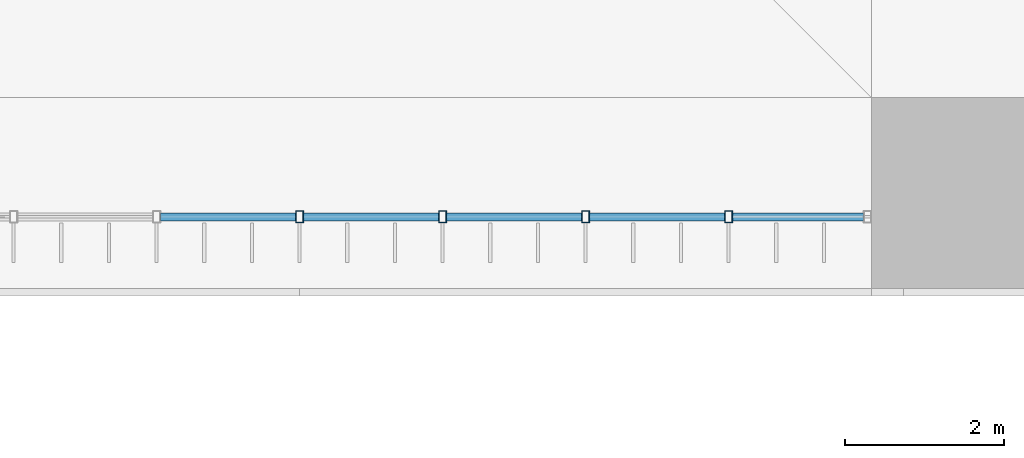
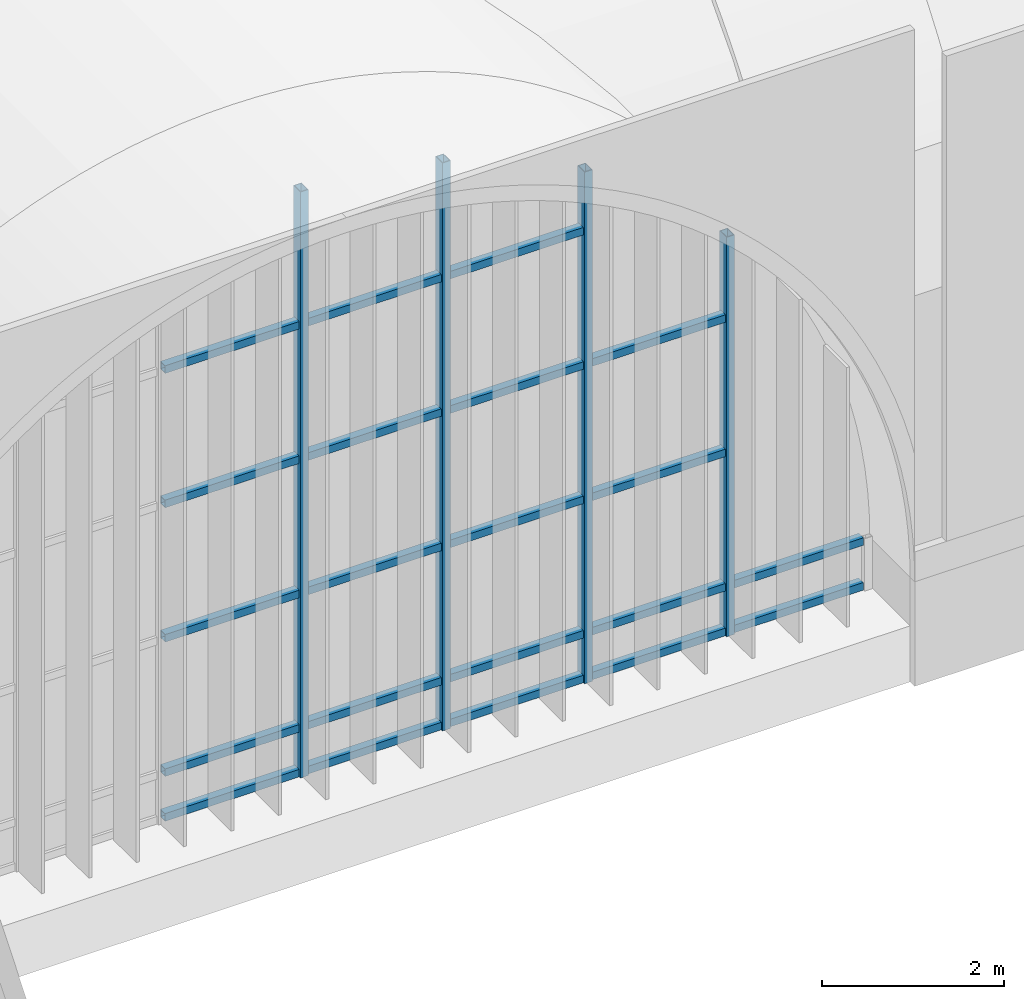
# One storey, part 23 of 169: 25 members, 1 element without a shape of its own.
"""IFC4 building model written with IfcOpenShell, lengths in metres."""

import ifcopenshell
import ifcopenshell.guid

model = None  # the IFC model being written
_history = None  # IfcOwnerHistory: only IFC2X3 demands one
_inside = {}  # id of a spatial element -> (the spatial element, [elements in it])
_under = {}  # id of a project, library or spatial element -> (it, [spatial elements below it])
_declared = {}  # id of a project -> (the project, [libraries it declares])
_typed = {}  # id of a type object -> (the type object, [elements of that type])
_made_of = {}  # id of a material, layer set ... -> (it, [elements and type objects made of it])


def new_model(schema):
    """Start an empty IFC model of exactly this schema.

    Asked for "IFC4X3", IfcOpenShell would pick the latest addendum, in which some entities
    have other attributes; the version numbers below select the first issue.
    IFC2X3 requires an IfcOwnerHistory on every rooted entity: one is made here for all.
    """
    global model, _history
    if schema == "IFC4X3":
        model = ifcopenshell.file(schema_version=(4, 3, 0, 0))
    else:
        model = ifcopenshell.file(schema=schema)
    _inside.clear()
    _under.clear()
    _declared.clear()
    _typed.clear()
    _made_of.clear()
    _history = None
    if model.schema == "IFC2X3":
        org = make("IfcOrganization", Name="unknown")
        user = make(
            "IfcPersonAndOrganization",
            ThePerson=make("IfcPerson", FamilyName="unknown"),
            TheOrganization=org,
        )
        app = make(
            "IfcApplication",
            ApplicationDeveloper=org,
            Version="unknown",
            ApplicationFullName="unknown",
            ApplicationIdentifier="unknown",
        )
        _history = make(
            "IfcOwnerHistory",
            OwningUser=user,
            OwningApplication=app,
            ChangeAction="ADDED",
            CreationDate=0,
        )
    return model


def make(cls, **values):
    """One entity of the class cls with the attributes given. An attribute that is None is left unset."""
    return model.create_entity(
        cls, **{name: value for name, value in values.items() if value is not None}
    )


def rooted(cls, **values):
    """An entity with a GlobalId (a new one), such as an element, a storey or a relation."""
    return make(cls, GlobalId=ifcopenshell.guid.new(), OwnerHistory=_history, **values)


def si_unit(unit_type, name, prefix=None):
    """IfcSIUnit, for example si_unit("LENGTHUNIT", "METRE", prefix="MILLI")."""
    return make("IfcSIUnit", UnitType=unit_type, Prefix=prefix, Name=name)


def assignment(units):
    """IfcUnitAssignment: the units of a project."""
    return None if units is None else make("IfcUnitAssignment", Units=units)


def point(xyz):
    """IfcCartesianPoint."""
    return None if xyz is None else make("IfcCartesianPoint", Coordinates=xyz)


def direction(xyz):
    """IfcDirection."""
    return None if xyz is None else make("IfcDirection", DirectionRatios=xyz)


def frame(location, z_axis=None, x_axis=None):
    """IfcAxis2Placement3D, a coordinate frame: its origin and axes. An axis left out is left unset."""
    return make(
        "IfcAxis2Placement3D",
        Location=point(location),
        Axis=direction(z_axis),
        RefDirection=direction(x_axis),
    )


def frame_2d(location, x_axis=None):
    """IfcAxis2Placement2D, a coordinate frame in the plane: its origin and x axis."""
    return make(
        "IfcAxis2Placement2D", Location=point(location), RefDirection=direction(x_axis)
    )


def origin():
    """The frame at (0, 0, 0) with its axes left unset."""
    return frame((0.0, 0.0, 0.0))


def origin_2d():
    """The frame at (0, 0) in the plane with its x axis left unset."""
    return frame_2d((0.0, 0.0))


def place(relative_to, where):
    """IfcLocalPlacement: puts the frame where relative to a parent placement (None: the world)."""
    return make(
        "IfcLocalPlacement", PlacementRelTo=relative_to, RelativePlacement=where
    )


def context(
    kind, dimensions, precision=None, world=None, true_north=None, identifier=None
):
    """IfcGeometricRepresentationContext, for example the 3D "Model" context."""
    return make(
        "IfcGeometricRepresentationContext",
        ContextIdentifier=identifier,
        ContextType=kind,
        CoordinateSpaceDimension=dimensions,
        Precision=precision,
        WorldCoordinateSystem=world,
        TrueNorth=true_north,
    )


def subcontext(parent, identifier, kind, view, scale=None):
    """IfcGeometricRepresentationSubContext, for example "Body" below "Model"."""
    return make(
        "IfcGeometricRepresentationSubContext",
        ContextIdentifier=identifier,
        ContextType=kind,
        ParentContext=parent,
        TargetScale=scale,
        TargetView=view,
    )


def project(units=None, contexts=None):
    """IfcProject with its units and contexts."""
    return rooted(
        "IfcProject",
        Name="project",
        RepresentationContexts=contexts,
        UnitsInContext=assignment(units),
    )


def spatial(cls, under=None, at=None, **own):
    """A site, building, storey or space (cls), placed at a placement, below another one or the project."""
    s = rooted(cls, ObjectPlacement=at, **own)
    if under is not None:
        _under.setdefault(under.id(), (under, []))[1].append(s)
    return s


def profile(cls, at=None, kind="AREA", **sizes):
    """A parametric profile (cls). Its sizes go by their IFC names, for example OverallWidth=200.0."""
    return make(cls, ProfileType=kind, Position=at, **sizes)


def hollow_rectangle(**sizes):
    """IfcRectangleHollowProfileDef."""
    return profile("IfcRectangleHollowProfileDef", **sizes)


def extrude(swept, where, along, depth):
    """IfcExtrudedAreaSolid: the profile swept, set in the frame where, extruded along a direction by depth."""
    return make(
        "IfcExtrudedAreaSolid",
        SweptArea=swept,
        Position=where,
        ExtrudedDirection=direction(along),
        Depth=depth,
    )


def shape(context_of_items, identifier, shape_type, items):
    """IfcShapeRepresentation: the items that make up one representation, for example the "Body"."""
    return make(
        "IfcShapeRepresentation",
        ContextOfItems=context_of_items,
        RepresentationIdentifier=identifier,
        RepresentationType=shape_type,
        Items=items,
    )


def material(Name=None, Category=None):
    """IfcMaterial."""
    return make("IfcMaterial", Name=Name, Category=Category)


def layer(
    of_material, thickness, ventilated=None, Name=None, Category=None, Priority=None
):
    """IfcMaterialLayer: one layer of a wall or slab, of a material (None: an air gap)."""
    return make(
        "IfcMaterialLayer",
        Material=of_material,
        LayerThickness=thickness,
        IsVentilated=ventilated,
        Name=Name,
        Category=Category,
        Priority=Priority,
    )


def layer_set(layers, Name=None):
    """IfcMaterialLayerSet."""
    return make("IfcMaterialLayerSet", MaterialLayers=layers, LayerSetName=Name)


def material_profile(
    of_material, cross_section, Name=None, Category=None, Priority=None
):
    """IfcMaterialProfile: a cross section and its material."""
    return make(
        "IfcMaterialProfile",
        Name=Name,
        Material=of_material,
        Profile=cross_section,
        Priority=Priority,
        Category=Category,
    )


def profile_set(profiles, Name=None, composite=None):
    """IfcMaterialProfileSet."""
    return make(
        "IfcMaterialProfileSet",
        Name=Name,
        MaterialProfiles=profiles,
        CompositeProfile=composite,
    )


def made_of(thing, what):
    """Note that an element or type object is made of a material, layer set ...; save() writes the relation."""
    if what is not None:
        _made_of.setdefault(what.id(), (what, []))[1].append(thing)
    return thing


def type_object(cls, material=None, **own):
    """A type object (cls), such as IfcWallType, which elements share."""
    return made_of(rooted(cls, **own), material)


def element(
    cls,
    number,
    at=None,
    inside=None,
    cuts=None,
    type_object=None,
    material=None,
    context=None,
    identifier="Body",
    shape_type=None,
    held_by="IfcProductDefinitionShape",
    body=None,
    shapes=None,
    **own,
):
    """One element of the class cls, such as IfcWall. Its Tag is "e" and its number.

    at: its placement. inside: the storey or other place that contains it. cuts: it is an
    opening in that element (IfcRelVoidsElement). A single representation is given by context,
    identifier, shape_type and body (its items); several are given by shapes. held_by: the class
    of the entity that holds the representations. save() writes the other relations.
    """
    e = rooted(cls, Tag="e%d" % number, ObjectPlacement=at, **own)
    if body is not None:
        shapes = [shape(context, identifier, shape_type, body)]
    if shapes is not None:
        e.Representation = make(held_by, Representations=shapes)
    if inside is not None:
        _inside.setdefault(inside.id(), (inside, []))[1].append(e)
    if cuts is not None:
        rooted(
            "IfcRelVoidsElement", RelatingBuildingElement=cuts, RelatedOpeningElement=e
        )
    if type_object is not None:
        _typed.setdefault(type_object.id(), (type_object, []))[1].append(e)
    return made_of(e, material)


def aggregate(whole, parts):
    """IfcRelAggregates: a whole, such as a stair, and the parts it consists of."""
    return rooted("IfcRelAggregates", RelatingObject=whole, RelatedObjects=parts)


def save(model, path):
    """Write the relations noted so far, then the file.

    IfcRelAggregates (storeys below a building ...), IfcRelContainedInSpatialStructure (elements
    in a storey), IfcRelDefinesByType, IfcRelAssociatesMaterial and IfcRelDeclares: one each for
    every whole, place, type object, material and project.
    """
    for whole, parts in _under.values():
        aggregate(whole, parts)
    for where, things in _inside.values():
        rooted(
            "IfcRelContainedInSpatialStructure",
            RelatedElements=things,
            RelatingStructure=where,
        )
    for kind, things in _typed.values():
        rooted("IfcRelDefinesByType", RelatedObjects=things, RelatingType=kind)
    for what, things in _made_of.values():
        rooted("IfcRelAssociatesMaterial", RelatedObjects=things, RelatingMaterial=what)
    for by, libraries in _declared.values():
        rooted("IfcRelDeclares", RelatingContext=by, RelatedDefinitions=libraries)
    model.write(path)


model = new_model("IFC4")

# Units and contexts
model_context = context("Model", 3, precision=1e-05, world=origin(), true_north=direction((0.0, 1.0)))
body_context = subcontext(model_context, "Body", "Model", "MODEL_VIEW")
ifc_project = project(units=[si_unit("LENGTHUNIT", "METRE"), si_unit("AREAUNIT", "SQUARE_METRE"), si_unit("VOLUMEUNIT", "CUBIC_METRE"), si_unit("PLANEANGLEUNIT", "RADIAN"), si_unit("MASSUNIT", "GRAM", prefix="KILO")], contexts=[model_context])

# Site, building, storey
site_placement = place(None, origin())
site = spatial("IfcSite", under=ifc_project, at=site_placement, CompositionType="ELEMENT")
building_placement = place(site_placement, origin())
building = spatial("IfcBuilding", under=site, at=building_placement, Name="Verrick Yard Athletic Hall", CompositionType="ELEMENT")
storey_placement = place(building_placement, frame((0.0, 0.0, 4.39990234375)))
storey = spatial("IfcBuildingStorey", under=building, at=storey_placement, Name="L01", CompositionType="ELEMENT", Elevation=4.39990234375)

# Curtain wall, members
ifc_material_1 = material(Name="Aluminium and glass curtain wall", Category="aluminium")
ifc_layer = layer(ifc_material_1, 0.14990234375)
ifc_layer_set = layer_set([ifc_layer], Name="Arcade glazing arch")
curtain_wall_type = type_object("IfcCurtainWallType", Name="Arcade glazing arch", PredefinedType="NOTDEFINED", material=ifc_layer_set)
curtain_wall_placement = place(storey_placement, origin())
curtain_wall = element("IfcCurtainWall", 1, at=curtain_wall_placement, inside=storey, type_object=curtain_wall_type, Name="Arcade glazing S2", PredefinedType="NOTDEFINED")
ifc_material_2 = material(Name="Structural steel HSS Class C 350W (CSA G40.20/G40.21)", Category="steel")
ifc_material_profile_1 = material_profile(ifc_material_2, hollow_rectangle(XDim=0.1015625, YDim=0.15234375, WallThickness=0.008056640625, at=origin_2d()), Name="HSS152x102x7.9")
ifc_profile_set_1 = profile_set([ifc_material_profile_1], Name="Structural steel HSS Class C 350W (CSA G40.20/G40.21)")
member_type_1 = type_object("IfcMemberType", Name="Curtain wall mullion HSS152x102x7.9", PredefinedType="MULLION", material=ifc_profile_set_1)
member_1_placement = place(storey_placement, frame((65.199951171875, 18.89990234375, 0.0), z_axis=(0.0, 0.0, 1.0), x_axis=(1.0, 0.0, 0.0)))
member_1 = element("IfcMember", 2, at=member_1_placement, type_object=member_type_1, Name="Arcade glazing S2 mullion 5", PredefinedType="MULLION", context=body_context, shape_type="SweptSolid", body=[
    extrude(hollow_rectangle(XDim=0.1015625, YDim=0.15234375, WallThickness=0.008056640625, at=origin_2d()), origin(), (0.0, 0.0, 1.0), 7.8486328125),
])
member_2_placement = place(storey_placement, frame((67.0, 18.89990234375, 0.0), z_axis=(0.0, 0.0, 1.0), x_axis=(1.0, 0.0, 0.0)))
member_2 = element("IfcMember", 3, at=member_2_placement, type_object=member_type_1, Name="Arcade glazing S2 mullion 6", PredefinedType="MULLION", context=body_context, shape_type="SweptSolid", body=[
    extrude(hollow_rectangle(XDim=0.1015625, YDim=0.15234375, WallThickness=0.008056640625, at=origin_2d()), origin(), (0.0, 0.0, 1.0), 7.607666015625),
])
member_3_placement = place(storey_placement, frame((68.800048828125, 18.89990234375, 0.0), z_axis=(0.0, 0.0, 1.0), x_axis=(1.0, 0.0, 0.0)))
member_3 = element("IfcMember", 4, at=member_3_placement, type_object=member_type_1, Name="Arcade glazing S2 mullion 7", PredefinedType="MULLION", context=body_context, shape_type="SweptSolid", body=[
    extrude(hollow_rectangle(XDim=0.1015625, YDim=0.15234375, WallThickness=0.008056640625, at=origin_2d()), origin(), (0.0, 0.0, 1.0), 6.8544921875),
])
member_4_placement = place(storey_placement, frame((70.60009765625, 18.89990234375, 0.0), z_axis=(0.0, 0.0, 1.0), x_axis=(1.0, 0.0, 0.0)))
member_4 = element("IfcMember", 5, at=member_4_placement, type_object=member_type_1, Name="Arcade glazing S2 mullion 8", PredefinedType="MULLION", context=body_context, shape_type="SweptSolid", body=[
    extrude(hollow_rectangle(XDim=0.1015625, YDim=0.15234375, WallThickness=0.008056640625, at=origin_2d()), origin(), (0.0, 0.0, 1.0), 5.351806640625),
])
ifc_material_profile_2 = material_profile(ifc_material_2, hollow_rectangle(XDim=0.1015625, YDim=0.1015625, WallThickness=0.00634765625, at=origin_2d()), Name="HSS102x102x6.4")
ifc_profile_set_2 = profile_set([ifc_material_profile_2], Name="Structural steel HSS Class C 350W (CSA G40.20/G40.21)")
member_type_2 = type_object("IfcMemberType", Name="Curtain wall transom HSS102x102x6.4", PredefinedType="USERDEFINED", material=ifc_profile_set_2)
member_5_placement = place(storey_placement, frame((63.45068359375, 18.89990234375, 0.05078125), z_axis=(1.0, 0.0, 0.0), x_axis=(0.0, 1.0, 0.0)))
member_5 = element("IfcMember", 6, at=member_5_placement, type_object=member_type_2, Name="Arcade glazing S2 transom 12", ObjectType="TRANSOM", PredefinedType="USERDEFINED", context=body_context, shape_type="SweptSolid", body=[
    extrude(hollow_rectangle(XDim=0.1015625, YDim=0.1015625, WallThickness=0.00634765625, at=origin_2d()), origin(), (0.0, 0.0, 1.0), 1.698486328125),
])
member_6_placement = place(storey_placement, frame((63.45068359375, 18.89990234375, 0.650146484375), z_axis=(1.0, 0.0, 0.0), x_axis=(0.0, 1.0, 0.0)))
member_6 = element("IfcMember", 7, at=member_6_placement, type_object=member_type_2, Name="Arcade glazing S2 transom 13", ObjectType="TRANSOM", PredefinedType="USERDEFINED", context=body_context, shape_type="SweptSolid", body=[
    extrude(hollow_rectangle(XDim=0.1015625, YDim=0.1015625, WallThickness=0.00634765625, at=origin_2d()), origin(), (0.0, 0.0, 1.0), 1.698486328125),
])
member_7_placement = place(storey_placement, frame((63.45068359375, 18.89990234375, 2.4501953125), z_axis=(1.0, 0.0, 0.0), x_axis=(0.0, 1.0, 0.0)))
member_7 = element("IfcMember", 8, at=member_7_placement, type_object=member_type_2, Name="Arcade glazing S2 transom 14", ObjectType="TRANSOM", PredefinedType="USERDEFINED", context=body_context, shape_type="SweptSolid", body=[
    extrude(hollow_rectangle(XDim=0.1015625, YDim=0.1015625, WallThickness=0.00634765625, at=origin_2d()), origin(), (0.0, 0.0, 1.0), 1.698486328125),
])
member_8_placement = place(storey_placement, frame((63.45068359375, 18.89990234375, 4.25), z_axis=(1.0, 0.0, 0.0), x_axis=(0.0, 1.0, 0.0)))
member_8 = element("IfcMember", 9, at=member_8_placement, type_object=member_type_2, Name="Arcade glazing S2 transom 15", ObjectType="TRANSOM", PredefinedType="USERDEFINED", context=body_context, shape_type="SweptSolid", body=[
    extrude(hollow_rectangle(XDim=0.1015625, YDim=0.1015625, WallThickness=0.00634765625, at=origin_2d()), origin(), (0.0, 0.0, 1.0), 1.698486328125),
])
member_9_placement = place(storey_placement, frame((63.45068359375, 18.89990234375, 6.050048828125), z_axis=(1.0, 0.0, 0.0), x_axis=(0.0, 1.0, 0.0)))
member_9 = element("IfcMember", 10, at=member_9_placement, type_object=member_type_2, Name="Arcade glazing S2 transom 16", ObjectType="TRANSOM", PredefinedType="USERDEFINED", context=body_context, shape_type="SweptSolid", body=[
    extrude(hollow_rectangle(XDim=0.1015625, YDim=0.1015625, WallThickness=0.00634765625, at=origin_2d()), origin(), (0.0, 0.0, 1.0), 1.698486328125),
])
member_10_placement = place(storey_placement, frame((65.250732421875, 18.89990234375, 0.05078125), z_axis=(1.0, 0.0, 0.0), x_axis=(0.0, 1.0, 0.0)))
member_10 = element("IfcMember", 11, at=member_10_placement, type_object=member_type_2, Name="Arcade glazing S2 transom 17", ObjectType="TRANSOM", PredefinedType="USERDEFINED", context=body_context, shape_type="SweptSolid", body=[
    extrude(hollow_rectangle(XDim=0.1015625, YDim=0.1015625, WallThickness=0.00634765625, at=origin_2d()), origin(), (0.0, 0.0, 1.0), 1.698486328125),
])
member_11_placement = place(storey_placement, frame((65.250732421875, 18.89990234375, 0.650146484375), z_axis=(1.0, 0.0, 0.0), x_axis=(0.0, 1.0, 0.0)))
member_11 = element("IfcMember", 12, at=member_11_placement, type_object=member_type_2, Name="Arcade glazing S2 transom 18", ObjectType="TRANSOM", PredefinedType="USERDEFINED", context=body_context, shape_type="SweptSolid", body=[
    extrude(hollow_rectangle(XDim=0.1015625, YDim=0.1015625, WallThickness=0.00634765625, at=origin_2d()), origin(), (0.0, 0.0, 1.0), 1.698486328125),
])
member_12_placement = place(storey_placement, frame((65.250732421875, 18.89990234375, 2.4501953125), z_axis=(1.0, 0.0, 0.0), x_axis=(0.0, 1.0, 0.0)))
member_12 = element("IfcMember", 13, at=member_12_placement, type_object=member_type_2, Name="Arcade glazing S2 transom 19", ObjectType="TRANSOM", PredefinedType="USERDEFINED", context=body_context, shape_type="SweptSolid", body=[
    extrude(hollow_rectangle(XDim=0.1015625, YDim=0.1015625, WallThickness=0.00634765625, at=origin_2d()), origin(), (0.0, 0.0, 1.0), 1.698486328125),
])
member_13_placement = place(storey_placement, frame((65.250732421875, 18.89990234375, 4.25), z_axis=(1.0, 0.0, 0.0), x_axis=(0.0, 1.0, 0.0)))
member_13 = element("IfcMember", 14, at=member_13_placement, type_object=member_type_2, Name="Arcade glazing S2 transom 20", ObjectType="TRANSOM", PredefinedType="USERDEFINED", context=body_context, shape_type="SweptSolid", body=[
    extrude(hollow_rectangle(XDim=0.1015625, YDim=0.1015625, WallThickness=0.00634765625, at=origin_2d()), origin(), (0.0, 0.0, 1.0), 1.698486328125),
])
member_14_placement = place(storey_placement, frame((65.250732421875, 18.89990234375, 6.050048828125), z_axis=(1.0, 0.0, 0.0), x_axis=(0.0, 1.0, 0.0)))
member_14 = element("IfcMember", 15, at=member_14_placement, type_object=member_type_2, Name="Arcade glazing S2 transom 21", ObjectType="TRANSOM", PredefinedType="USERDEFINED", context=body_context, shape_type="SweptSolid", body=[
    extrude(hollow_rectangle(XDim=0.1015625, YDim=0.1015625, WallThickness=0.00634765625, at=origin_2d()), origin(), (0.0, 0.0, 1.0), 1.698486328125),
])
member_15_placement = place(storey_placement, frame((67.05078125, 18.89990234375, 0.05078125), z_axis=(1.0, 0.0, 0.0), x_axis=(0.0, 1.0, 0.0)))
member_15 = element("IfcMember", 16, at=member_15_placement, type_object=member_type_2, Name="Arcade glazing S2 transom 22", ObjectType="TRANSOM", PredefinedType="USERDEFINED", context=body_context, shape_type="SweptSolid", body=[
    extrude(hollow_rectangle(XDim=0.1015625, YDim=0.1015625, WallThickness=0.00634765625, at=origin_2d()), origin(), (0.0, 0.0, 1.0), 1.698486328125),
])
member_16_placement = place(storey_placement, frame((67.05078125, 18.89990234375, 0.650146484375), z_axis=(1.0, 0.0, 0.0), x_axis=(0.0, 1.0, 0.0)))
member_16 = element("IfcMember", 17, at=member_16_placement, type_object=member_type_2, Name="Arcade glazing S2 transom 23", ObjectType="TRANSOM", PredefinedType="USERDEFINED", context=body_context, shape_type="SweptSolid", body=[
    extrude(hollow_rectangle(XDim=0.1015625, YDim=0.1015625, WallThickness=0.00634765625, at=origin_2d()), origin(), (0.0, 0.0, 1.0), 1.698486328125),
])
member_17_placement = place(storey_placement, frame((67.05078125, 18.89990234375, 2.4501953125), z_axis=(1.0, 0.0, 0.0), x_axis=(0.0, 1.0, 0.0)))
member_17 = element("IfcMember", 18, at=member_17_placement, type_object=member_type_2, Name="Arcade glazing S2 transom 24", ObjectType="TRANSOM", PredefinedType="USERDEFINED", context=body_context, shape_type="SweptSolid", body=[
    extrude(hollow_rectangle(XDim=0.1015625, YDim=0.1015625, WallThickness=0.00634765625, at=origin_2d()), origin(), (0.0, 0.0, 1.0), 1.698486328125),
])
member_18_placement = place(storey_placement, frame((67.05078125, 18.89990234375, 4.25), z_axis=(1.0, 0.0, 0.0), x_axis=(0.0, 1.0, 0.0)))
member_18 = element("IfcMember", 19, at=member_18_placement, type_object=member_type_2, Name="Arcade glazing S2 transom 25", ObjectType="TRANSOM", PredefinedType="USERDEFINED", context=body_context, shape_type="SweptSolid", body=[
    extrude(hollow_rectangle(XDim=0.1015625, YDim=0.1015625, WallThickness=0.00634765625, at=origin_2d()), origin(), (0.0, 0.0, 1.0), 1.698486328125),
])
member_19_placement = place(storey_placement, frame((67.05078125, 18.89990234375, 6.050048828125), z_axis=(1.0, 0.0, 0.0), x_axis=(0.0, 1.0, 0.0)))
member_19 = element("IfcMember", 20, at=member_19_placement, type_object=member_type_2, Name="Arcade glazing S2 transom 26", ObjectType="TRANSOM", PredefinedType="USERDEFINED", context=body_context, shape_type="SweptSolid", body=[
    extrude(hollow_rectangle(XDim=0.1015625, YDim=0.1015625, WallThickness=0.00634765625, at=origin_2d()), origin(), (0.0, 0.0, 1.0), 1.698486328125),
])
member_20_placement = place(storey_placement, frame((68.850830078125, 18.89990234375, 0.05078125), z_axis=(1.0, 0.0, 0.0), x_axis=(0.0, 1.0, 0.0)))
member_20 = element("IfcMember", 21, at=member_20_placement, type_object=member_type_2, Name="Arcade glazing S2 transom 27", ObjectType="TRANSOM", PredefinedType="USERDEFINED", context=body_context, shape_type="SweptSolid", body=[
    extrude(hollow_rectangle(XDim=0.1015625, YDim=0.1015625, WallThickness=0.00634765625, at=origin_2d()), origin(), (0.0, 0.0, 1.0), 1.698486328125),
])
member_21_placement = place(storey_placement, frame((68.850830078125, 18.89990234375, 0.650146484375), z_axis=(1.0, 0.0, 0.0), x_axis=(0.0, 1.0, 0.0)))
member_21 = element("IfcMember", 22, at=member_21_placement, type_object=member_type_2, Name="Arcade glazing S2 transom 28", ObjectType="TRANSOM", PredefinedType="USERDEFINED", context=body_context, shape_type="SweptSolid", body=[
    extrude(hollow_rectangle(XDim=0.1015625, YDim=0.1015625, WallThickness=0.00634765625, at=origin_2d()), origin(), (0.0, 0.0, 1.0), 1.698486328125),
])
member_22_placement = place(storey_placement, frame((68.850830078125, 18.89990234375, 2.4501953125), z_axis=(1.0, 0.0, 0.0), x_axis=(0.0, 1.0, 0.0)))
member_22 = element("IfcMember", 23, at=member_22_placement, type_object=member_type_2, Name="Arcade glazing S2 transom 29", ObjectType="TRANSOM", PredefinedType="USERDEFINED", context=body_context, shape_type="SweptSolid", body=[
    extrude(hollow_rectangle(XDim=0.1015625, YDim=0.1015625, WallThickness=0.00634765625, at=origin_2d()), origin(), (0.0, 0.0, 1.0), 1.698486328125),
])
member_23_placement = place(storey_placement, frame((68.850830078125, 18.89990234375, 4.25), z_axis=(1.0, 0.0, 0.0), x_axis=(0.0, 1.0, 0.0)))
member_23 = element("IfcMember", 24, at=member_23_placement, type_object=member_type_2, Name="Arcade glazing S2 transom 30", ObjectType="TRANSOM", PredefinedType="USERDEFINED", context=body_context, shape_type="SweptSolid", body=[
    extrude(hollow_rectangle(XDim=0.1015625, YDim=0.1015625, WallThickness=0.00634765625, at=origin_2d()), origin(), (0.0, 0.0, 1.0), 1.698486328125),
])
member_24_placement = place(storey_placement, frame((70.65087890625, 18.89990234375, 0.05078125), z_axis=(1.0, 0.0, 0.0), x_axis=(0.0, 1.0, 0.0)))
member_24 = element("IfcMember", 25, at=member_24_placement, type_object=member_type_2, Name="Arcade glazing S2 transom 31", ObjectType="TRANSOM", PredefinedType="USERDEFINED", context=body_context, shape_type="SweptSolid", body=[
    extrude(hollow_rectangle(XDim=0.1015625, YDim=0.1015625, WallThickness=0.00634765625, at=origin_2d()), origin(), (0.0, 0.0, 1.0), 1.64697265625),
])
member_25_placement = place(storey_placement, frame((70.65087890625, 18.89990234375, 0.650146484375), z_axis=(1.0, 0.0, 0.0), x_axis=(0.0, 1.0, 0.0)))
member_25 = element("IfcMember", 26, at=member_25_placement, type_object=member_type_2, Name="Arcade glazing S2 transom 32", ObjectType="TRANSOM", PredefinedType="USERDEFINED", context=body_context, shape_type="SweptSolid", body=[
    extrude(hollow_rectangle(XDim=0.1015625, YDim=0.1015625, WallThickness=0.00634765625, at=origin_2d()), origin(), (0.0, 0.0, 1.0), 1.64697265625),
])
aggregate(curtain_wall, [member_1, member_2, member_3, member_4, member_5, member_6, member_7, member_8, member_9, member_10, member_11, member_12, member_13, member_14, member_15, member_16, member_17, member_18, member_19, member_20, member_21, member_22, member_23, member_24, member_25])

save(model, "model.ifc")
